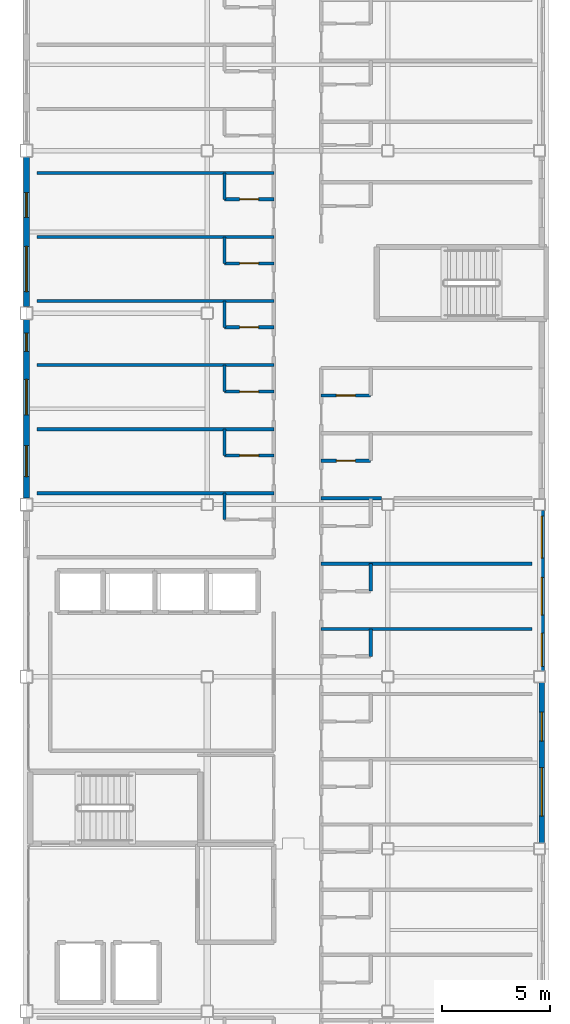
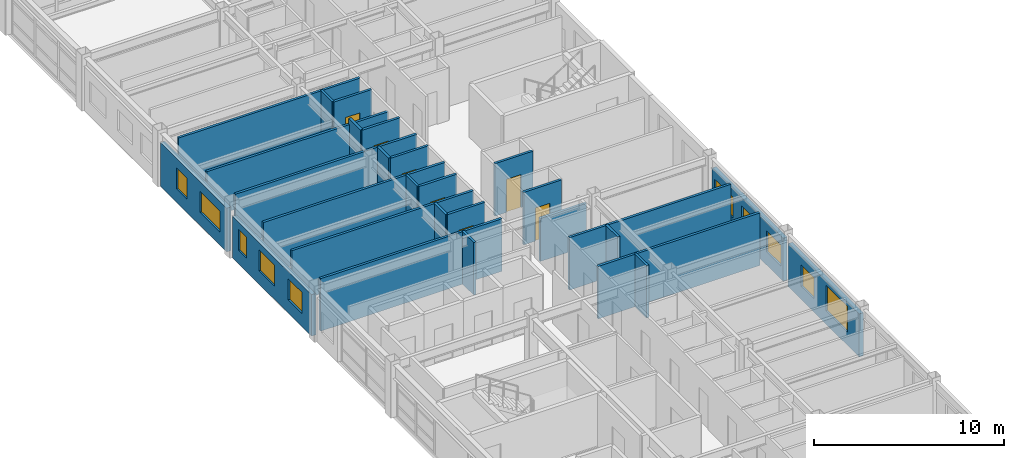
# One storey, part 30 of 36: 28 walls, 10 windows, 7 doors, 17 openings.
"""IFC4 building model written with IfcOpenShell, lengths in metres."""

from ifc_helpers import new_model, si_unit, direction, frame, frame_2d, origin, place, context, subcontext, project, spatial, rectangle, extrude, material, layer, layer_set, type_object, element, fill, save


model = new_model("IFC4")

# Units and contexts
model_context = context("Model", 3, precision=1e-05, world=origin(), true_north=direction((0.0, 1.0)))
body_context = subcontext(model_context, "Body", "Model", "MODEL_VIEW")
ifc_project = project(units=[si_unit("LENGTHUNIT", "METRE"), si_unit("AREAUNIT", "SQUARE_METRE"), si_unit("VOLUMEUNIT", "CUBIC_METRE"), si_unit("PLANEANGLEUNIT", "RADIAN"), si_unit("MASSUNIT", "GRAM", prefix="KILO")], contexts=[model_context])

# Site, building, storey
site_placement = place(None, origin())
site = spatial("IfcSite", under=ifc_project, at=site_placement, CompositionType="ELEMENT")
building_placement = place(site_placement, origin())
building = spatial("IfcBuilding", under=site, at=building_placement, Name="Kazehara Bluff Congress Hotel", CompositionType="ELEMENT")
storey_placement = place(building_placement, frame((0.0, 0.0, 31.800048828125)))
storey = spatial("IfcBuildingStorey", under=building, at=storey_placement, Name="L07", CompositionType="ELEMENT", Elevation=31.800048828125)

# Wall, openings, windows
ifc_material_1 = material(Name="Precast concrete C40/50", Category="concrete")
ifc_layer_1 = layer(ifc_material_1, 0.260009765625)
ifc_layer_set_1 = layer_set([ifc_layer_1], Name="Precast concrete C40/50")
wall_type_1 = type_object("IfcWallType", Name="TP-EW-260", PredefinedType="SOLIDWALL", material=ifc_layer_set_1)
wall_1_placement = place(storey_placement, frame((167.64990234375, 56.175048828125, 0.0), z_axis=(0.0, 0.0, 1.0), x_axis=(0.0, -1.0, 0.0)))
wall_1 = element("IfcWall", 1, at=wall_1_placement, inside=storey, type_object=wall_type_1, Name="L07 hotel facade panel 95", PredefinedType="SOLIDWALL", context=body_context, shape_type="SweptSolid", body=[
    extrude(rectangle(XDim=7.449951171875, YDim=0.260009765625, at=frame_2d((3.72509765625, 0.0))), origin(), (0.0, 0.0, 1.0), 2.7548828125),
])
opening_1_placement = place(wall_1_placement, frame((3.955078125, 0.0, 0.85009765625)))
opening_1 = element("IfcOpeningElement", 2, at=opening_1_placement, cuts=wall_1, Name="Opening WN-53", PredefinedType="OPENING", context=body_context, shape_type="SweptSolid", body=[
    extrude(rectangle(XDim=2.25, YDim=1.64990234375, at=frame_2d((1.125, 0.824951171875))), frame((0.0, 0.139892578125, 0.0), z_axis=(0.0, -1.0, 0.0), x_axis=(1.0, 0.0, 0.0)), (0.0, 0.0, 1.0), 0.280029296875),
])
opening_2_placement = place(wall_1_placement, frame((1.3701171875, 0.0, 0.85009765625)))
opening_2 = element("IfcOpeningElement", 3, at=opening_2_placement, cuts=wall_1, Name="Opening WN-11", PredefinedType="OPENING", context=body_context, shape_type="SweptSolid", body=[
    extrude(rectangle(XDim=1.35009765625, YDim=1.35009765625, at=frame_2d((0.675048828125, 0.675048828125))), frame((0.0, 0.139892578125, 0.0), z_axis=(0.0, -1.0, 0.0), x_axis=(1.0, 0.0, 0.0)), (0.0, 0.0, 1.0), 0.280029296875),
])
ifc_material_2 = material(Name="Insulated low-E double glazing", Category="glass")
window_type_1 = type_object("IfcWindowType", Name="TP-WN-11", PartitioningType="SINGLE_PANEL", PredefinedType="WINDOW", material=ifc_material_2)
window_1_placement = place(opening_2_placement, origin())
window_1 = element("IfcWindow", 4, at=window_1_placement, inside=storey, type_object=window_type_1, Name="L07 guestroom window WN-11 180", OverallHeight=1.35009765625, OverallWidth=1.35009765625, PartitioningType="SINGLE_PANEL", PredefinedType="WINDOW", context=body_context, shape_type="SweptSolid", body=[
    extrude(rectangle(XDim=1.35009765625, YDim=1.35009765625, at=frame_2d((0.675048828125, 0.675048828125))), frame((0.0, 0.030029296875, 0.0), z_axis=(0.0, -1.0, 0.0), x_axis=(1.0, 0.0, 0.0)), (0.0, 0.0, 1.0), 0.06005859375),
])
fill(opening_2, window_1)
ifc_material_3 = material(Name="Insulated low-E double glazing", Category="glass")
window_type_2 = type_object("IfcWindowType", Name="TP-WN-53", PartitioningType="DOUBLE_PANEL_VERTICAL", PredefinedType="WINDOW", material=ifc_material_3)
window_2_placement = place(opening_1_placement, origin())
window_2 = element("IfcWindow", 5, at=window_2_placement, inside=storey, type_object=window_type_2, Name="L07 guestroom window WN-53 179", OverallHeight=1.64990234375, OverallWidth=2.25, PartitioningType="SINGLE_PANEL", PredefinedType="WINDOW", context=body_context, shape_type="SweptSolid", body=[
    extrude(rectangle(XDim=2.25, YDim=1.64990234375, at=frame_2d((1.125, 0.824951171875))), frame((0.0, 0.030029296875, 0.0), z_axis=(0.0, -1.0, 0.0), x_axis=(1.0, 0.0, 0.0)), (0.0, 0.0, 1.0), 0.06005859375),
])
fill(opening_1, window_2)

wall_2_placement = place(storey_placement, frame((167.64990234375, 64.175048828125, 0.0), z_axis=(0.0, 0.0, 1.0), x_axis=(0.0, -1.0, 0.0)))
wall_2 = element("IfcWall", 6, at=wall_2_placement, inside=storey, type_object=wall_type_1, Name="L07 hotel facade panel 96", PredefinedType="SOLIDWALL", context=body_context, shape_type="SweptSolid", body=[
    extrude(rectangle(XDim=7.449951171875, YDim=0.260009765625, at=frame_2d((3.72509765625, 0.0))), origin(), (0.0, 0.0, 1.0), 2.7548828125),
])
opening_3_placement = place(wall_2_placement, frame((5.699951171875, 0.0, 0.85009765625)))
opening_3 = element("IfcOpeningElement", 7, at=opening_3_placement, cuts=wall_2, Name="Opening WN-21", PredefinedType="OPENING", context=body_context, shape_type="SweptSolid", body=[
    extrude(rectangle(XDim=1.550048828125, YDim=1.35009765625, at=frame_2d((0.77490234375, 0.675048828125))), frame((0.0, 0.139892578125, 0.0), z_axis=(0.0, -1.0, 0.0), x_axis=(1.0, 0.0, 0.0)), (0.0, 0.0, 1.0), 0.280029296875),
])
opening_4_placement = place(wall_2_placement, frame((3.110107421875, 0.0, 0.85009765625)))
opening_4 = element("IfcOpeningElement", 8, at=opening_4_placement, cuts=wall_2, Name="Opening WN-31", PredefinedType="OPENING", context=body_context, shape_type="SweptSolid", body=[
    extrude(rectangle(XDim=1.75, YDim=1.35009765625, at=frame_2d((0.875, 0.675048828125))), frame((0.0, 0.139892578125, 0.0), z_axis=(0.0, -1.0, 0.0), x_axis=(1.0, 0.0, 0.0)), (0.0, 0.0, 1.0), 0.280029296875),
])
opening_5_placement = place(wall_2_placement, frame((0.260009765625, 0.0, 0.85009765625)))
opening_5 = element("IfcOpeningElement", 9, at=opening_5_placement, cuts=wall_2, Name="Opening WN-41", PredefinedType="OPENING", context=body_context, shape_type="SweptSolid", body=[
    extrude(rectangle(XDim=1.949951171875, YDim=1.35009765625, at=frame_2d((0.97509765625, 0.675048828125))), frame((0.0, 0.139892578125, 0.0), z_axis=(0.0, -1.0, 0.0), x_axis=(1.0, 0.0, 0.0)), (0.0, 0.0, 1.0), 0.280029296875),
])
ifc_material_4 = material(Name="Insulated low-E double glazing", Category="glass")
window_type_3 = type_object("IfcWindowType", Name="TP-WN-21", PartitioningType="SINGLE_PANEL", PredefinedType="WINDOW", material=ifc_material_4)
window_3_placement = place(opening_3_placement, origin())
window_3 = element("IfcWindow", 10, at=window_3_placement, inside=storey, type_object=window_type_3, Name="L07 guestroom window WN-21 181", OverallHeight=1.35009765625, OverallWidth=1.550048828125, PartitioningType="SINGLE_PANEL", PredefinedType="WINDOW", context=body_context, shape_type="SweptSolid", body=[
    extrude(rectangle(XDim=1.550048828125, YDim=1.35009765625, at=frame_2d((0.77490234375, 0.675048828125))), frame((0.0, 0.030029296875, 0.0), z_axis=(0.0, -1.0, 0.0), x_axis=(1.0, 0.0, 0.0)), (0.0, 0.0, 1.0), 0.06005859375),
])
fill(opening_3, window_3)
ifc_material_5 = material(Name="Insulated low-E double glazing", Category="glass")
window_type_4 = type_object("IfcWindowType", Name="TP-WN-31", PartitioningType="SINGLE_PANEL", PredefinedType="WINDOW", material=ifc_material_5)
window_4_placement = place(opening_4_placement, origin())
window_4 = element("IfcWindow", 11, at=window_4_placement, inside=storey, type_object=window_type_4, Name="L07 guestroom window WN-31 182", OverallHeight=1.35009765625, OverallWidth=1.75, PartitioningType="SINGLE_PANEL", PredefinedType="WINDOW", context=body_context, shape_type="SweptSolid", body=[
    extrude(rectangle(XDim=1.75, YDim=1.35009765625, at=frame_2d((0.875, 0.675048828125))), frame((0.0, 0.030029296875, 0.0), z_axis=(0.0, -1.0, 0.0), x_axis=(1.0, 0.0, 0.0)), (0.0, 0.0, 1.0), 0.06005859375),
])
fill(opening_4, window_4)
ifc_material_6 = material(Name="Insulated low-E double glazing", Category="glass")
window_type_5 = type_object("IfcWindowType", Name="TP-WN-41", PartitioningType="DOUBLE_PANEL_VERTICAL", PredefinedType="WINDOW", material=ifc_material_6)
window_5_placement = place(opening_5_placement, origin())
window_5 = element("IfcWindow", 12, at=window_5_placement, inside=storey, type_object=window_type_5, Name="L07 guestroom window WN-41 183", OverallHeight=1.35009765625, OverallWidth=1.949951171875, PartitioningType="SINGLE_PANEL", PredefinedType="WINDOW", context=body_context, shape_type="SweptSolid", body=[
    extrude(rectangle(XDim=1.949951171875, YDim=1.35009765625, at=frame_2d((0.97509765625, 0.675048828125))), frame((0.0, 0.030029296875, 0.0), z_axis=(0.0, -1.0, 0.0), x_axis=(1.0, 0.0, 0.0)), (0.0, 0.0, 1.0), 0.06005859375),
])
fill(opening_5, window_5)

wall_3_placement = place(storey_placement, frame((143.699951171875, 64.75, 0.0), z_axis=(0.0, 0.0, 1.0), x_axis=(0.0, 1.0, 0.0)))
wall_3 = element("IfcWall", 13, at=wall_3_placement, inside=storey, type_object=wall_type_1, Name="L07 hotel facade panel 106", PredefinedType="SOLIDWALL", context=body_context, shape_type="SweptSolid", body=[
    extrude(rectangle(XDim=8.300048828125, YDim=0.260009765625, at=frame_2d((4.14990234375, 0.0))), origin(), (0.0, 0.0, 1.0), 2.655029296875),
])
opening_6_placement = place(wall_3_placement, frame((0.9951171875, 0.0, 0.85009765625)))
opening_6 = element("IfcOpeningElement", 14, at=opening_6_placement, cuts=wall_3, Name="Opening WN-16", PredefinedType="OPENING", context=body_context, shape_type="SweptSolid", body=[
    extrude(rectangle(XDim=1.449951171875, YDim=1.35009765625, at=frame_2d((0.72509765625, 0.675048828125))), frame((0.0, 0.139892578125, 0.0), z_axis=(0.0, -1.0, 0.0), x_axis=(1.0, 0.0, 0.0)), (0.0, 0.0, 1.0), 0.280029296875),
])
opening_7_placement = place(wall_3_placement, frame((3.8701171875, 0.0, 0.85009765625)))
opening_7 = element("IfcOpeningElement", 15, at=opening_7_placement, cuts=wall_3, Name="Opening WN-26", PredefinedType="OPENING", context=body_context, shape_type="SweptSolid", body=[
    extrude(rectangle(XDim=1.64990234375, YDim=1.35009765625, at=frame_2d((0.824951171875, 0.675048828125))), frame((0.0, 0.139892578125, 0.0), z_axis=(0.0, -1.0, 0.0), x_axis=(1.0, 0.0, 0.0)), (0.0, 0.0, 1.0), 0.280029296875),
])
opening_8_placement = place(wall_3_placement, frame((6.820068359375, 0.0, 0.85009765625)))
opening_8 = element("IfcOpeningElement", 16, at=opening_8_placement, cuts=wall_3, Name="Opening WN-55", PredefinedType="OPENING", context=body_context, shape_type="SweptSolid", body=[
    extrude(rectangle(XDim=0.85009765625, YDim=1.35009765625, at=frame_2d((0.425048828125, 0.675048828125))), frame((0.0, 0.139892578125, 0.0), z_axis=(0.0, -1.0, 0.0), x_axis=(1.0, 0.0, 0.0)), (0.0, 0.0, 1.0), 0.280029296875),
])
ifc_material_7 = material(Name="Insulated low-E double glazing", Category="glass")
window_type_6 = type_object("IfcWindowType", Name="TP-WN-16", PartitioningType="SINGLE_PANEL", PredefinedType="WINDOW", material=ifc_material_7)
window_6_placement = place(opening_6_placement, origin())
window_6 = element("IfcWindow", 17, at=window_6_placement, inside=storey, type_object=window_type_6, Name="L07 guestroom window WN-16 201", OverallHeight=1.35009765625, OverallWidth=1.449951171875, PartitioningType="SINGLE_PANEL", PredefinedType="WINDOW", context=body_context, shape_type="SweptSolid", body=[
    extrude(rectangle(XDim=1.449951171875, YDim=1.35009765625, at=frame_2d((0.72509765625, 0.675048828125))), frame((0.0, 0.030029296875, 0.0), z_axis=(0.0, -1.0, 0.0), x_axis=(1.0, 0.0, 0.0)), (0.0, 0.0, 1.0), 0.06005859375),
])
fill(opening_6, window_6)
ifc_material_8 = material(Name="Insulated low-E double glazing", Category="glass")
window_type_7 = type_object("IfcWindowType", Name="TP-WN-26", PartitioningType="SINGLE_PANEL", PredefinedType="WINDOW", material=ifc_material_8)
window_7_placement = place(opening_7_placement, origin())
window_7 = element("IfcWindow", 18, at=window_7_placement, inside=storey, type_object=window_type_7, Name="L07 guestroom window WN-26 202", OverallHeight=1.35009765625, OverallWidth=1.64990234375, PartitioningType="SINGLE_PANEL", PredefinedType="WINDOW", context=body_context, shape_type="SweptSolid", body=[
    extrude(rectangle(XDim=1.64990234375, YDim=1.35009765625, at=frame_2d((0.824951171875, 0.675048828125))), frame((0.0, 0.030029296875, 0.0), z_axis=(0.0, -1.0, 0.0), x_axis=(1.0, 0.0, 0.0)), (0.0, 0.0, 1.0), 0.06005859375),
])
fill(opening_7, window_7)
ifc_material_9 = material(Name="Insulated low-E double glazing", Category="glass")
window_type_8 = type_object("IfcWindowType", Name="TP-WN-55", PartitioningType="SINGLE_PANEL", PredefinedType="WINDOW", material=ifc_material_9)
window_8_placement = place(opening_8_placement, origin())
window_8 = element("IfcWindow", 19, at=window_8_placement, inside=storey, type_object=window_type_8, Name="L07 guestroom window WN-55 203", OverallHeight=1.35009765625, OverallWidth=0.85009765625, PartitioningType="SINGLE_PANEL", PredefinedType="WINDOW", context=body_context, shape_type="SweptSolid", body=[
    extrude(rectangle(XDim=0.85009765625, YDim=1.35009765625, at=frame_2d((0.425048828125, 0.675048828125))), frame((0.0, 0.030029296875, 0.0), z_axis=(0.0, -1.0, 0.0), x_axis=(1.0, 0.0, 0.0)), (0.0, 0.0, 1.0), 0.06005859375),
])
fill(opening_8, window_8)

wall_4_placement = place(storey_placement, frame((143.699951171875, 73.64990234375, 0.0), z_axis=(0.0, 0.0, 1.0), x_axis=(0.0, 1.0, 0.0)))
wall_4 = element("IfcWall", 20, at=wall_4_placement, inside=storey, type_object=wall_type_1, Name="L07 hotel facade panel 107", PredefinedType="SOLIDWALL", context=body_context, shape_type="SweptSolid", body=[
    extrude(rectangle(XDim=6.9501953125, YDim=0.260009765625, at=frame_2d((3.47509765625, 0.0))), origin(), (0.0, 0.0, 1.0), 2.804931640625),
])
opening_9_placement = place(wall_4_placement, frame((0.699951171875, 0.0, 0.85009765625)))
opening_9 = element("IfcOpeningElement", 21, at=opening_9_placement, cuts=wall_4, Name="Opening WN-46", PredefinedType="OPENING", context=body_context, shape_type="SweptSolid", body=[
    extrude(rectangle(XDim=2.10009765625, YDim=1.35009765625, at=frame_2d((1.050048828125, 0.675048828125))), frame((0.0, 0.139892578125, 0.0), z_axis=(0.0, -1.0, 0.0), x_axis=(1.0, 0.0, 0.0)), (0.0, 0.0, 1.0), 0.280029296875),
])
opening_10_placement = place(wall_4_placement, frame((4.14990234375, 0.0, 0.85009765625)))
opening_10 = element("IfcOpeningElement", 22, at=opening_10_placement, cuts=wall_4, Name="Opening WN-01", PredefinedType="OPENING", context=body_context, shape_type="SweptSolid", body=[
    extrude(rectangle(XDim=1.14990234375, YDim=1.35009765625, at=frame_2d((0.574951171875, 0.675048828125))), frame((0.0, 0.139892578125, 0.0), z_axis=(0.0, -1.0, 0.0), x_axis=(1.0, 0.0, 0.0)), (0.0, 0.0, 1.0), 0.280029296875),
])
ifc_material_10 = material(Name="Insulated low-E double glazing", Category="glass")
window_type_9 = type_object("IfcWindowType", Name="TP-WN-01", PartitioningType="SINGLE_PANEL", PredefinedType="WINDOW", material=ifc_material_10)
window_9_placement = place(opening_10_placement, origin())
window_9 = element("IfcWindow", 23, at=window_9_placement, inside=storey, type_object=window_type_9, Name="L07 guestroom window WN-01 205", OverallHeight=1.35009765625, OverallWidth=1.14990234375, PartitioningType="SINGLE_PANEL", PredefinedType="WINDOW", context=body_context, shape_type="SweptSolid", body=[
    extrude(rectangle(XDim=1.14990234375, YDim=1.35009765625, at=frame_2d((0.574951171875, 0.675048828125))), frame((0.0, 0.030029296875, 0.0), z_axis=(0.0, -1.0, 0.0), x_axis=(1.0, 0.0, 0.0)), (0.0, 0.0, 1.0), 0.06005859375),
])
fill(opening_10, window_9)
ifc_material_11 = material(Name="Insulated low-E double glazing", Category="glass")
window_type_10 = type_object("IfcWindowType", Name="TP-WN-46", PartitioningType="DOUBLE_PANEL_VERTICAL", PredefinedType="WINDOW", material=ifc_material_11)
window_10_placement = place(opening_9_placement, origin())
window_10 = element("IfcWindow", 24, at=window_10_placement, inside=storey, type_object=window_type_10, Name="L07 guestroom window WN-46 204", OverallHeight=1.35009765625, OverallWidth=2.10009765625, PartitioningType="SINGLE_PANEL", PredefinedType="WINDOW", context=body_context, shape_type="SweptSolid", body=[
    extrude(rectangle(XDim=2.10009765625, YDim=1.35009765625, at=frame_2d((1.050048828125, 0.675048828125))), frame((0.0, 0.030029296875, 0.0), z_axis=(0.0, -1.0, 0.0), x_axis=(1.0, 0.0, 0.0)), (0.0, 0.0, 1.0), 0.06005859375),
])
fill(opening_9, window_10)

# Walls
ifc_material_12 = material(Name="Fire-rated gypsum board stud partition")
ifc_layer_2 = layer(ifc_material_12, 0.14990234375)
ifc_layer_set_2 = layer_set([ifc_layer_2], Name="Fire-rated gypsum board stud partition")
wall_type_2 = type_object("IfcWallType", Name="TP-PT-150", PredefinedType="PARTITIONING", material=ifc_layer_set_2)
for number, where, z_axis, x_axis, name in (
    (25, (157.39990234375, 58.669921875, 0.0), (0.0, 0.0, 1.0), (1.0, 0.0, 0.0), "L07 partition PT-150 914"),
    (26, (157.39990234375, 61.699951171875, 0.0), (0.0, 0.0, 1.0), (1.0, 0.0, 0.0), "L07 partition PT-150 916"),
):
    element("IfcWall", number, at=place(storey_placement, frame(where, z_axis=z_axis, x_axis=x_axis)), inside=storey, type_object=wall_type_2, Name=name, PredefinedType="PARTITIONING", context=body_context, shape_type="SweptSolid", body=[
        extrude(rectangle(XDim=9.800048828125, YDim=0.14990234375, at=frame_2d((4.89990234375, 0.0))), origin(), (0.0, 0.0, 1.0), 3.364990234375),
    ])
wall_5_placement = place(storey_placement, frame((157.39990234375, 64.739990234375, 0.0), z_axis=(0.0, 0.0, 1.0), x_axis=(1.0, 0.0, 0.0)))
element("IfcWall", 27, at=wall_5_placement, inside=storey, type_object=wall_type_2, Name="L07 partition PT-150 920", PredefinedType="PARTITIONING", context=body_context, shape_type="SweptSolid", body=[
    extrude(rectangle(XDim=2.80517578125, YDim=0.14990234375, at=frame_2d((1.402587890625, 0.0))), origin(), (0.0, 0.0, 1.0), 2.7548828125),
])
wall_6_placement = place(storey_placement, frame((144.199951171875, 64.97998046875, 0.0), z_axis=(0.0, 0.0, 1.0), x_axis=(1.0, 0.0, 0.0)))
element("IfcWall", 28, at=wall_6_placement, inside=storey, type_object=wall_type_2, Name="L07 partition PT-150 922", PredefinedType="PARTITIONING", context=body_context, shape_type="SweptSolid", body=[
    extrude(rectangle(XDim=11.0, YDim=0.14990234375, at=frame_2d((5.5, 0.0))), origin(), (0.0, 0.0, 1.0), 3.364990234375),
])

# Wall, opening, door
wall_7_placement = place(storey_placement, frame((157.39990234375, 66.489990234375, 0.0), z_axis=(0.0, 0.0, 1.0), x_axis=(1.0, 0.0, 0.0)))
wall_7 = element("IfcWall", 29, at=wall_7_placement, inside=storey, type_object=wall_type_2, Name="L07 partition PT-150 923", PredefinedType="PARTITIONING", context=body_context, shape_type="SweptSolid", body=[
    extrude(rectangle(XDim=2.300048828125, YDim=0.14990234375, at=frame_2d((1.14990234375, 0.0))), origin(), (0.0, 0.0, 1.0), 3.364990234375),
])
opening_11_placement = place(wall_7_placement, frame((0.7099609375, 0.0, 0.0)))
opening_11 = element("IfcOpeningElement", 30, at=opening_11_placement, cuts=wall_7, Name="Opening BD-02", PredefinedType="OPENING", context=body_context, shape_type="SweptSolid", body=[
    extrude(rectangle(XDim=0.8798828125, YDim=2.1201171875, at=frame_2d((0.43994140625, 1.06005859375))), frame((0.0, 0.0849609375, 0.0), z_axis=(0.0, -1.0, 0.0), x_axis=(1.0, 0.0, 0.0)), (0.0, 0.0, 1.0), 0.169921875),
])
ifc_material_13 = material(Name="Architectural oak veneer leaf")
door_type = type_object("IfcDoorType", Name="TP-BD-02", OperationType="NOTDEFINED", PredefinedType="DOOR", material=ifc_material_13)
door_1_placement = place(opening_11_placement, origin())
door_1 = element("IfcDoor", 31, at=door_1_placement, inside=storey, type_object=door_type, Name="L07 En-suite Bathroom 200 door", OperationType="SINGLE_SWING_RIGHT", OverallHeight=2.1201171875, OverallWidth=0.8798828125, PredefinedType="DOOR", context=body_context, shape_type="SweptSolid", body=[
    extrude(rectangle(XDim=0.8798828125, YDim=2.1201171875, at=frame_2d((0.43994140625, 1.06005859375))), frame((0.0, 0.02490234375, 0.0), z_axis=(0.0, -1.0, 0.0), x_axis=(1.0, 0.0, 0.0)), (0.0, 0.0, 1.0), 0.050048828125),
])
fill(opening_11, door_1)

wall_8_placement = place(storey_placement, frame((152.89990234375, 66.72998046875, 0.0), z_axis=(0.0, 0.0, 1.0), x_axis=(1.0, 0.0, 0.0)))
wall_8 = element("IfcWall", 32, at=wall_8_placement, inside=storey, type_object=wall_type_2, Name="L07 partition PT-150 924", PredefinedType="PARTITIONING", context=body_context, shape_type="SweptSolid", body=[
    extrude(rectangle(XDim=2.300048828125, YDim=0.14990234375, at=frame_2d((1.14990234375, 0.0))), origin(), (0.0, 0.0, 1.0), 3.364990234375),
])
opening_12_placement = place(wall_8_placement, frame((0.7099609375, 0.0, 0.0)))
opening_12 = element("IfcOpeningElement", 33, at=opening_12_placement, cuts=wall_8, Name="Opening BD-02", PredefinedType="OPENING", context=body_context, shape_type="SweptSolid", body=[
    extrude(rectangle(XDim=0.8798828125, YDim=2.1201171875, at=frame_2d((0.43994140625, 1.06005859375))), frame((0.0, 0.0849609375, 0.0), z_axis=(0.0, -1.0, 0.0), x_axis=(1.0, 0.0, 0.0)), (0.0, 0.0, 1.0), 0.169921875),
])
door_2_placement = place(opening_12_placement, origin())
door_2 = element("IfcDoor", 34, at=door_2_placement, inside=storey, type_object=door_type, Name="L07 En-suite Bathroom 175 door", OperationType="SINGLE_SWING_RIGHT", OverallHeight=2.1201171875, OverallWidth=0.8798828125, PredefinedType="DOOR", context=body_context, shape_type="SweptSolid", body=[
    extrude(rectangle(XDim=0.8798828125, YDim=2.1201171875, at=frame_2d((0.43994140625, 1.06005859375))), frame((0.0, 0.02490234375, 0.0), z_axis=(0.0, -1.0, 0.0), x_axis=(1.0, 0.0, 0.0)), (0.0, 0.0, 1.0), 0.050048828125),
])
fill(opening_12, door_2)

# Wall
wall_9_placement = place(storey_placement, frame((144.199951171875, 67.949951171875, 0.0), z_axis=(0.0, 0.0, 1.0), x_axis=(1.0, 0.0, 0.0)))
element("IfcWall", 35, at=wall_9_placement, inside=storey, type_object=wall_type_2, Name="L07 partition PT-150 926", PredefinedType="PARTITIONING", context=body_context, shape_type="SweptSolid", body=[
    extrude(rectangle(XDim=11.0, YDim=0.14990234375, at=frame_2d((5.5, 0.0))), origin(), (0.0, 0.0, 1.0), 3.364990234375),
])

# Wall, opening, door
wall_10_placement = place(storey_placement, frame((157.39990234375, 69.52001953125, 0.0), z_axis=(0.0, 0.0, 1.0), x_axis=(1.0, 0.0, 0.0)))
wall_10 = element("IfcWall", 36, at=wall_10_placement, inside=storey, type_object=wall_type_2, Name="L07 partition PT-150 927", PredefinedType="PARTITIONING", context=body_context, shape_type="SweptSolid", body=[
    extrude(rectangle(XDim=2.300048828125, YDim=0.14990234375, at=frame_2d((1.14990234375, 0.0))), origin(), (0.0, 0.0, 1.0), 3.364990234375),
])
opening_13_placement = place(wall_10_placement, frame((0.7099609375, 0.0, 0.0)))
opening_13 = element("IfcOpeningElement", 37, at=opening_13_placement, cuts=wall_10, Name="Opening BD-02", PredefinedType="OPENING", context=body_context, shape_type="SweptSolid", body=[
    extrude(rectangle(XDim=0.8798828125, YDim=2.1201171875, at=frame_2d((0.43994140625, 1.06005859375))), frame((0.0, 0.0849609375, 0.0), z_axis=(0.0, -1.0, 0.0), x_axis=(1.0, 0.0, 0.0)), (0.0, 0.0, 1.0), 0.169921875),
])
door_3_placement = place(opening_13_placement, origin())
door_3 = element("IfcDoor", 38, at=door_3_placement, inside=storey, type_object=door_type, Name="L07 En-suite Bathroom 201 door", OperationType="SINGLE_SWING_RIGHT", OverallHeight=2.1201171875, OverallWidth=0.8798828125, PredefinedType="DOOR", context=body_context, shape_type="SweptSolid", body=[
    extrude(rectangle(XDim=0.8798828125, YDim=2.1201171875, at=frame_2d((0.43994140625, 1.06005859375))), frame((0.0, 0.02490234375, 0.0), z_axis=(0.0, -1.0, 0.0), x_axis=(1.0, 0.0, 0.0)), (0.0, 0.0, 1.0), 0.050048828125),
])
fill(opening_13, door_3)

wall_11_placement = place(storey_placement, frame((152.89990234375, 69.699951171875, 0.0), z_axis=(0.0, 0.0, 1.0), x_axis=(1.0, 0.0, 0.0)))
wall_11 = element("IfcWall", 39, at=wall_11_placement, inside=storey, type_object=wall_type_2, Name="L07 partition PT-150 928", PredefinedType="PARTITIONING", context=body_context, shape_type="SweptSolid", body=[
    extrude(rectangle(XDim=2.300048828125, YDim=0.14990234375, at=frame_2d((1.14990234375, 0.0))), origin(), (0.0, 0.0, 1.0), 3.364990234375),
])
opening_14_placement = place(wall_11_placement, frame((0.7099609375, 0.0, 0.0)))
opening_14 = element("IfcOpeningElement", 40, at=opening_14_placement, cuts=wall_11, Name="Opening BD-02", PredefinedType="OPENING", context=body_context, shape_type="SweptSolid", body=[
    extrude(rectangle(XDim=0.8798828125, YDim=2.1201171875, at=frame_2d((0.43994140625, 1.06005859375))), frame((0.0, 0.0849609375, 0.0), z_axis=(0.0, -1.0, 0.0), x_axis=(1.0, 0.0, 0.0)), (0.0, 0.0, 1.0), 0.169921875),
])
door_4_placement = place(opening_14_placement, origin())
door_4 = element("IfcDoor", 41, at=door_4_placement, inside=storey, type_object=door_type, Name="L07 En-suite Bathroom 176 door", OperationType="SINGLE_SWING_RIGHT", OverallHeight=2.1201171875, OverallWidth=0.8798828125, PredefinedType="DOOR", context=body_context, shape_type="SweptSolid", body=[
    extrude(rectangle(XDim=0.8798828125, YDim=2.1201171875, at=frame_2d((0.43994140625, 1.06005859375))), frame((0.0, 0.02490234375, 0.0), z_axis=(0.0, -1.0, 0.0), x_axis=(1.0, 0.0, 0.0)), (0.0, 0.0, 1.0), 0.050048828125),
])
fill(opening_14, door_4)

# Wall
wall_12_placement = place(storey_placement, frame((144.199951171875, 70.93994140625, 0.0), z_axis=(0.0, 0.0, 1.0), x_axis=(1.0, 0.0, 0.0)))
element("IfcWall", 42, at=wall_12_placement, inside=storey, type_object=wall_type_2, Name="L07 partition PT-150 930", PredefinedType="PARTITIONING", context=body_context, shape_type="SweptSolid", body=[
    extrude(rectangle(XDim=11.0, YDim=0.14990234375, at=frame_2d((5.5, 0.0))), origin(), (0.0, 0.0, 1.0), 3.364990234375),
])

# Wall, opening, door
wall_13_placement = place(storey_placement, frame((152.89990234375, 72.68994140625, 0.0), z_axis=(0.0, 0.0, 1.0), x_axis=(1.0, 0.0, 0.0)))
wall_13 = element("IfcWall", 43, at=wall_13_placement, inside=storey, type_object=wall_type_2, Name="L07 partition PT-150 931", PredefinedType="PARTITIONING", context=body_context, shape_type="SweptSolid", body=[
    extrude(rectangle(XDim=2.300048828125, YDim=0.14990234375, at=frame_2d((1.14990234375, 0.0))), origin(), (0.0, 0.0, 1.0), 3.364990234375),
])
opening_15_placement = place(wall_13_placement, frame((0.7099609375, 0.0, 0.0)))
opening_15 = element("IfcOpeningElement", 44, at=opening_15_placement, cuts=wall_13, Name="Opening BD-02", PredefinedType="OPENING", context=body_context, shape_type="SweptSolid", body=[
    extrude(rectangle(XDim=0.8798828125, YDim=2.1201171875, at=frame_2d((0.43994140625, 1.06005859375))), frame((0.0, 0.0849609375, 0.0), z_axis=(0.0, -1.0, 0.0), x_axis=(1.0, 0.0, 0.0)), (0.0, 0.0, 1.0), 0.169921875),
])
door_5_placement = place(opening_15_placement, origin())
door_5 = element("IfcDoor", 45, at=door_5_placement, inside=storey, type_object=door_type, Name="L07 En-suite Bathroom 177 door", OperationType="SINGLE_SWING_RIGHT", OverallHeight=2.1201171875, OverallWidth=0.8798828125, PredefinedType="DOOR", context=body_context, shape_type="SweptSolid", body=[
    extrude(rectangle(XDim=0.8798828125, YDim=2.1201171875, at=frame_2d((0.43994140625, 1.06005859375))), frame((0.0, 0.02490234375, 0.0), z_axis=(0.0, -1.0, 0.0), x_axis=(1.0, 0.0, 0.0)), (0.0, 0.0, 1.0), 0.050048828125),
])
fill(opening_15, door_5)

# Wall
wall_14_placement = place(storey_placement, frame((144.199951171875, 73.909912109375, 0.0), z_axis=(0.0, 0.0, 1.0), x_axis=(1.0, 0.0, 0.0)))
element("IfcWall", 46, at=wall_14_placement, inside=storey, type_object=wall_type_2, Name="L07 partition PT-150 932", PredefinedType="PARTITIONING", context=body_context, shape_type="SweptSolid", body=[
    extrude(rectangle(XDim=11.0, YDim=0.14990234375, at=frame_2d((5.5, 0.0))), origin(), (0.0, 0.0, 1.0), 3.364990234375),
])

# Wall, opening, door
wall_15_placement = place(storey_placement, frame((152.89990234375, 75.659912109375, 0.0), z_axis=(0.0, 0.0, 1.0), x_axis=(1.0, 0.0, 0.0)))
wall_15 = element("IfcWall", 47, at=wall_15_placement, inside=storey, type_object=wall_type_2, Name="L07 partition PT-150 933", PredefinedType="PARTITIONING", context=body_context, shape_type="SweptSolid", body=[
    extrude(rectangle(XDim=2.300048828125, YDim=0.14990234375, at=frame_2d((1.14990234375, 0.0))), origin(), (0.0, 0.0, 1.0), 3.364990234375),
])
opening_16_placement = place(wall_15_placement, frame((0.7099609375, 0.0, 0.0)))
opening_16 = element("IfcOpeningElement", 48, at=opening_16_placement, cuts=wall_15, Name="Opening BD-02", PredefinedType="OPENING", context=body_context, shape_type="SweptSolid", body=[
    extrude(rectangle(XDim=0.8798828125, YDim=2.1201171875, at=frame_2d((0.43994140625, 1.06005859375))), frame((0.0, 0.0849609375, 0.0), z_axis=(0.0, -1.0, 0.0), x_axis=(1.0, 0.0, 0.0)), (0.0, 0.0, 1.0), 0.169921875),
])
door_6_placement = place(opening_16_placement, origin())
door_6 = element("IfcDoor", 49, at=door_6_placement, inside=storey, type_object=door_type, Name="L07 En-suite Bathroom 178 door", OperationType="SINGLE_SWING_RIGHT", OverallHeight=2.1201171875, OverallWidth=0.8798828125, PredefinedType="DOOR", context=body_context, shape_type="SweptSolid", body=[
    extrude(rectangle(XDim=0.8798828125, YDim=2.1201171875, at=frame_2d((0.43994140625, 1.06005859375))), frame((0.0, 0.02490234375, 0.0), z_axis=(0.0, -1.0, 0.0), x_axis=(1.0, 0.0, 0.0)), (0.0, 0.0, 1.0), 0.050048828125),
])
fill(opening_16, door_6)

# Wall
wall_16_placement = place(storey_placement, frame((144.199951171875, 76.889892578125, 0.0), z_axis=(0.0, 0.0, 1.0), x_axis=(1.0, 0.0, 0.0)))
element("IfcWall", 50, at=wall_16_placement, inside=storey, type_object=wall_type_2, Name="L07 partition PT-150 934", PredefinedType="PARTITIONING", context=body_context, shape_type="SweptSolid", body=[
    extrude(rectangle(XDim=11.0, YDim=0.14990234375, at=frame_2d((5.5, 0.0))), origin(), (0.0, 0.0, 1.0), 3.0048828125),
])

# Wall, opening, door
wall_17_placement = place(storey_placement, frame((152.89990234375, 78.639892578125, 0.0), z_axis=(0.0, 0.0, 1.0), x_axis=(1.0, 0.0, 0.0)))
wall_17 = element("IfcWall", 51, at=wall_17_placement, inside=storey, type_object=wall_type_2, Name="L07 partition PT-150 936", PredefinedType="PARTITIONING", context=body_context, shape_type="SweptSolid", body=[
    extrude(rectangle(XDim=2.300048828125, YDim=0.14990234375, at=frame_2d((1.14990234375, 0.0))), origin(), (0.0, 0.0, 1.0), 3.364990234375),
])
opening_17_placement = place(wall_17_placement, frame((0.7099609375, 0.0, 0.0)))
opening_17 = element("IfcOpeningElement", 52, at=opening_17_placement, cuts=wall_17, Name="Opening BD-02", PredefinedType="OPENING", context=body_context, shape_type="SweptSolid", body=[
    extrude(rectangle(XDim=0.8798828125, YDim=2.1201171875, at=frame_2d((0.43994140625, 1.06005859375))), frame((0.0, 0.0849609375, 0.0), z_axis=(0.0, -1.0, 0.0), x_axis=(1.0, 0.0, 0.0)), (0.0, 0.0, 1.0), 0.169921875),
])
door_7_placement = place(opening_17_placement, origin())
door_7 = element("IfcDoor", 53, at=door_7_placement, inside=storey, type_object=door_type, Name="L07 En-suite Bathroom 179 door", OperationType="SINGLE_SWING_RIGHT", OverallHeight=2.1201171875, OverallWidth=0.8798828125, PredefinedType="DOOR", context=body_context, shape_type="SweptSolid", body=[
    extrude(rectangle(XDim=0.8798828125, YDim=2.1201171875, at=frame_2d((0.43994140625, 1.06005859375))), frame((0.0, 0.02490234375, 0.0), z_axis=(0.0, -1.0, 0.0), x_axis=(1.0, 0.0, 0.0)), (0.0, 0.0, 1.0), 0.050048828125),
])
fill(opening_17, door_7)

# Walls
wall_18_placement = place(storey_placement, frame((144.199951171875, 79.860107421875, 0.0), z_axis=(0.0, 0.0, 1.0), x_axis=(1.0, 0.0, 0.0)))
element("IfcWall", 54, at=wall_18_placement, inside=storey, type_object=wall_type_2, Name="L07 partition PT-150 938", PredefinedType="PARTITIONING", context=body_context, shape_type="SweptSolid", body=[
    extrude(rectangle(XDim=11.0, YDim=0.14990234375, at=frame_2d((5.5, 0.0))), origin(), (0.0, 0.0, 1.0), 3.364990234375),
])
wall_19_placement = place(storey_placement, frame((152.89990234375, 63.75, 0.0), z_axis=(0.0, 0.0, 1.0), x_axis=(0.0, 1.0, 0.0)))
element("IfcWall", 55, at=wall_19_placement, inside=storey, type_object=wall_type_2, Name="L07 partition PT-150 966", PredefinedType="PARTITIONING", context=body_context, shape_type="SweptSolid", body=[
    extrude(rectangle(XDim=1.22998046875, YDim=0.14990234375, at=frame_2d((0.614990234375, 0.0))), origin(), (0.0, 0.0, 1.0), 3.364990234375),
])
wall_20_placement = place(storey_placement, frame((152.89990234375, 66.72998046875, 0.0), z_axis=(0.0, 0.0, 1.0), x_axis=(0.0, 1.0, 0.0)))
element("IfcWall", 56, at=wall_20_placement, inside=storey, type_object=wall_type_2, Name="L07 partition PT-150 967", PredefinedType="PARTITIONING", context=body_context, shape_type="SweptSolid", body=[
    extrude(rectangle(XDim=1.22509765625, YDim=0.14990234375, at=frame_2d((0.612548828125, 0.0))), origin(), (0.0, 0.0, 1.0), 3.364990234375),
])
wall_21_placement = place(storey_placement, frame((152.89990234375, 69.705078125, 0.0), z_axis=(0.0, 0.0, 1.0), x_axis=(0.0, 1.0, 0.0)))
element("IfcWall", 57, at=wall_21_placement, inside=storey, type_object=wall_type_2, Name="L07 partition PT-150 968", PredefinedType="PARTITIONING", context=body_context, shape_type="SweptSolid", body=[
    extrude(rectangle(XDim=1.22998046875, YDim=0.14990234375, at=frame_2d((0.614990234375, 0.0))), origin(), (0.0, 0.0, 1.0), 3.364990234375),
])
wall_22_placement = place(storey_placement, frame((152.89990234375, 72.68505859375, 0.0), z_axis=(0.0, 0.0, 1.0), x_axis=(0.0, 1.0, 0.0)))
element("IfcWall", 58, at=wall_22_placement, inside=storey, type_object=wall_type_2, Name="L07 partition PT-150 969", PredefinedType="PARTITIONING", context=body_context, shape_type="SweptSolid", body=[
    extrude(rectangle(XDim=1.224853515625, YDim=0.14990234375, at=frame_2d((0.6123046875, 0.0))), origin(), (0.0, 0.0, 1.0), 3.364990234375),
])
wall_23_placement = place(storey_placement, frame((152.89990234375, 75.659912109375, 0.0), z_axis=(0.0, 0.0, 1.0), x_axis=(0.0, 1.0, 0.0)))
element("IfcWall", 59, at=wall_23_placement, inside=storey, type_object=wall_type_2, Name="L07 partition PT-150 970", PredefinedType="PARTITIONING", context=body_context, shape_type="SweptSolid", body=[
    extrude(rectangle(XDim=1.22998046875, YDim=0.14990234375, at=frame_2d((0.614990234375, 0.0))), origin(), (0.0, 0.0, 1.0), 3.364990234375),
])
wall_24_placement = place(storey_placement, frame((152.89990234375, 78.639892578125, 0.0), z_axis=(0.0, 0.0, 1.0), x_axis=(0.0, 1.0, 0.0)))
element("IfcWall", 60, at=wall_24_placement, inside=storey, type_object=wall_type_2, Name="L07 partition PT-150 971", PredefinedType="PARTITIONING", context=body_context, shape_type="SweptSolid", body=[
    extrude(rectangle(XDim=1.22509765625, YDim=0.14990234375, at=frame_2d((0.612548828125, 0.0))), origin(), (0.0, 0.0, 1.0), 3.364990234375),
])
for number, where, z_axis, x_axis, name in (
    (61, (159.699951171875, 57.39501953125, 0.0), (0.0, 0.0, 1.0), (0.0, 1.0, 0.0), "L07 partition PT-150 999"),
    (62, (159.699951171875, 60.425048828125, 0.0), (0.0, 0.0, 1.0), (0.0, 1.0, 0.0), "L07 partition PT-150 1000"),
):
    element("IfcWall", number, at=place(storey_placement, frame(where, z_axis=z_axis, x_axis=x_axis)), inside=storey, type_object=wall_type_2, Name=name, PredefinedType="PARTITIONING", context=body_context, shape_type="SweptSolid", body=[
        extrude(rectangle(XDim=1.280029296875, YDim=0.14990234375, at=frame_2d((0.64013671875, 0.0))), origin(), (0.0, 0.0, 1.0), 3.364990234375),
    ])

save(model, "model.ifc")
